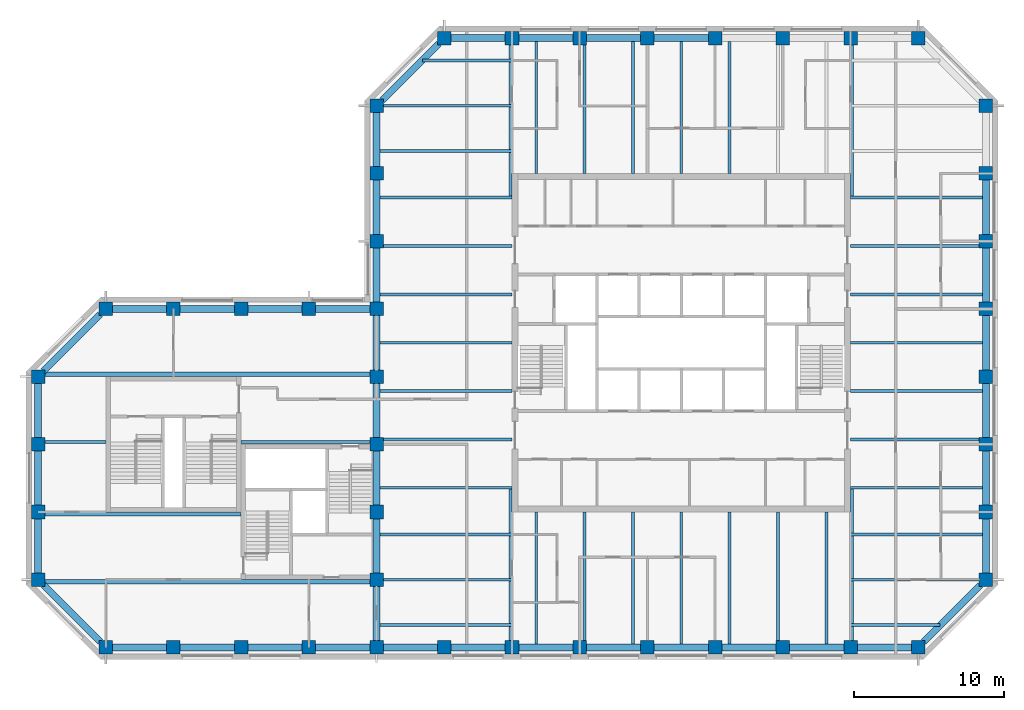
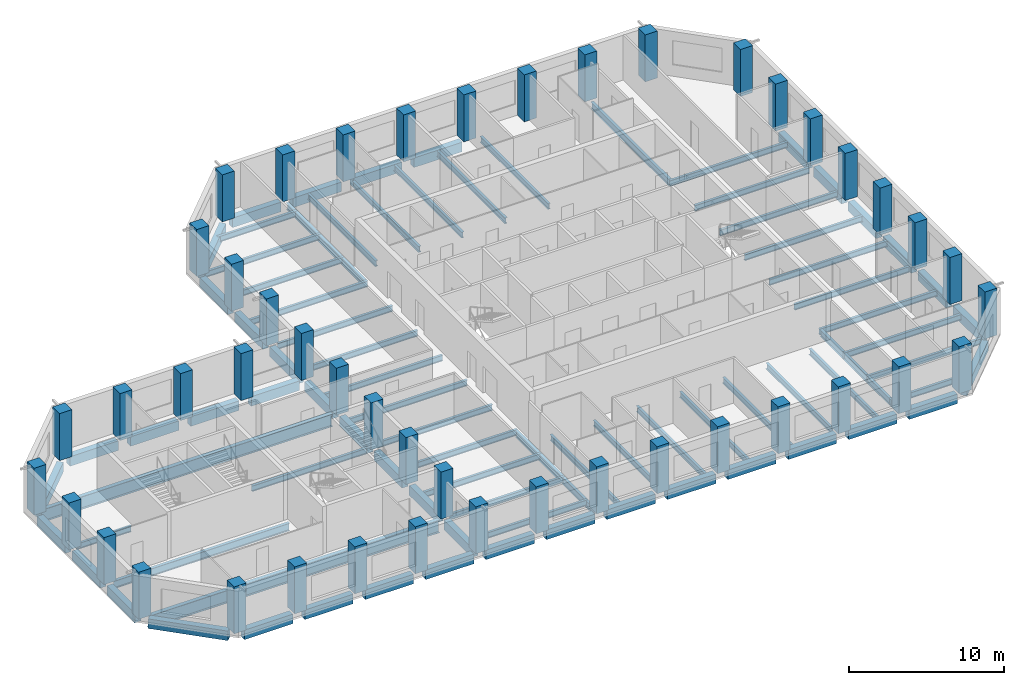
# One storey, part 1 of 9: 85 beams, 45 columns.
"""IFC4 building model written with IfcOpenShell, lengths in metres."""

from ifc_helpers import new_model, si_unit, direction, frame, origin, origin_2d, place, context, subcontext, project, spatial, rectangle, i_section, extrude, material, material_profile, profile_set, type_object, element, save


model = new_model("IFC4")

# Units and contexts
model_context = context("Model", 3, precision=1e-05, world=origin(), true_north=direction((0.0, 1.0)))
body_context = subcontext(model_context, "Body", "Model", "MODEL_VIEW")
ifc_project = project(units=[si_unit("LENGTHUNIT", "METRE"), si_unit("AREAUNIT", "SQUARE_METRE"), si_unit("VOLUMEUNIT", "CUBIC_METRE"), si_unit("PLANEANGLEUNIT", "RADIAN"), si_unit("MASSUNIT", "GRAM", prefix="KILO")], contexts=[model_context])

# Site, building, storey
site_placement = place(None, origin())
site = spatial("IfcSite", under=ifc_project, at=site_placement, CompositionType="ELEMENT")
building_placement = place(site_placement, origin())
building = spatial("IfcBuilding", under=site, at=building_placement, Name="Quoin Convention Tower", CompositionType="ELEMENT")
storey_placement = place(building_placement, frame((0.0, 0.0, 245.199951171875)))
storey = spatial("IfcBuildingStorey", under=building, at=storey_placement, Name="L64", CompositionType="ELEMENT", Elevation=245.199951171875)

# Columns
ifc_material_1 = material(Name="Concrete C50", Category="concrete")
ifc_material_profile_1 = material_profile(ifc_material_1, rectangle(XDim=0.89990234375, YDim=0.89990234375, at=origin_2d()), Name="RC 900x900")
ifc_profile_set_1 = profile_set([ifc_material_profile_1], Name="Concrete C50")
column_type = type_object("IfcColumnType", Name="RC 900x900 C50", PredefinedType="COLUMN", material=ifc_profile_set_1)
for number, where, z_axis, x_axis, name in (
    (1, (18.0, 40.5, 0.0), (0.0, 0.0, 1.0), (1.0, 0.0, 0.0), "col-L64-18000_40500"),
    (2, (22.5, 40.5, 0.0), (0.0, 0.0, 1.0), (1.0, 0.0, 0.0), "col-L64-22500_40500"),
    (3, (27.0, 40.5, 0.0), (0.0, 0.0, 1.0), (1.0, 0.0, 0.0), "col-L64-27000_40500"),
    (4, (31.5, 40.5, 0.0), (0.0, 0.0, 1.0), (1.0, 0.0, 0.0), "col-L64-31500_40500"),
    (5, (36.0, 40.5, 0.0), (0.0, 0.0, 1.0), (1.0, 0.0, 0.0), "col-L64-36000_40500"),
    (6, (40.5, 40.5, 0.0), (0.0, 0.0, 1.0), (1.0, 0.0, 0.0), "col-L64-40500_40500"),
    (7, (45.0, 40.5, 0.0), (0.0, 0.0, 1.0), (1.0, 0.0, 0.0), "col-L64-45000_40500"),
    (8, (49.5, 40.5, 0.0), (0.0, 0.0, 1.0), (1.0, 0.0, 0.0), "col-L64-49500_40500"),
    (9, (54.0, 40.5, 0.0), (0.0, 0.0, 1.0), (1.0, 0.0, 0.0), "col-L64-54000_40500"),
    (10, (58.5, 40.5, 0.0), (0.0, 0.0, 1.0), (1.0, 0.0, 0.0), "col-L64-58500_40500"),
    (11, (63.0, 40.5, 0.0), (0.0, 0.0, 1.0), (1.0, 0.0, 0.0), "col-L64-63000_40500"),
    (12, (67.5, 40.5, 0.0), (0.0, 0.0, 1.0), (1.0, 0.0, 0.0), "col-L64-67500_40500"),
    (13, (72.0, 40.5, 0.0), (0.0, 0.0, 1.0), (1.0, 0.0, 0.0), "col-L64-72000_40500"),
    (14, (13.5, 45.0, 0.0), (0.0, 0.0, 1.0), (1.0, 0.0, 0.0), "col-L64-13500_45000"),
    (15, (36.0, 45.0, 0.0), (0.0, 0.0, 1.0), (1.0, 0.0, 0.0), "web-L64-36000_45000"),
    (16, (76.5, 45.0, 0.0), (0.0, 0.0, 1.0), (1.0, 0.0, 0.0), "col-L64-76500_45000"),
    (17, (13.5, 49.5, 0.0), (0.0, 0.0, 1.0), (1.0, 0.0, 0.0), "col-L64-13500_49500"),
    (18, (36.0, 49.5, 0.0), (0.0, 0.0, 1.0), (1.0, 0.0, 0.0), "web-L64-36000_49500"),
    (19, (76.5, 49.5, 0.0), (0.0, 0.0, 1.0), (1.0, 0.0, 0.0), "col-L64-76500_49500"),
    (20, (13.5, 54.0, 0.0), (0.0, 0.0, 1.0), (1.0, 0.0, 0.0), "col-L64-13500_54000"),
    (21, (36.0, 54.0, 0.0), (0.0, 0.0, 1.0), (1.0, 0.0, 0.0), "web-L64-36000_54000"),
    (22, (76.5, 54.0, 0.0), (0.0, 0.0, 1.0), (1.0, 0.0, 0.0), "col-L64-76500_54000"),
    (23, (13.5, 58.5, 0.0), (0.0, 0.0, 1.0), (1.0, 0.0, 0.0), "col-L64-13500_58500"),
    (24, (36.0, 58.5, 0.0), (0.0, 0.0, 1.0), (1.0, 0.0, 0.0), "web-L64-36000_58500"),
    (25, (76.5, 58.5, 0.0), (0.0, 0.0, 1.0), (1.0, 0.0, 0.0), "col-L64-76500_58500"),
    (26, (18.0, 63.0, 0.0), (0.0, 0.0, 1.0), (1.0, 0.0, 0.0), "col-L64-18000_63000"),
    (27, (22.5, 63.0, 0.0), (0.0, 0.0, 1.0), (1.0, 0.0, 0.0), "col-L64-22500_63000"),
    (28, (27.0, 63.0, 0.0), (0.0, 0.0, 1.0), (1.0, 0.0, 0.0), "col-L64-27000_63000"),
    (29, (31.5, 63.0, 0.0), (0.0, 0.0, 1.0), (1.0, 0.0, 0.0), "col-L64-31500_63000"),
    (30, (36.0, 63.0, 0.0), (0.0, 0.0, 1.0), (1.0, 0.0, 0.0), "col-L64-36000_63000"),
    (31, (76.5, 63.0, 0.0), (0.0, 0.0, 1.0), (1.0, 0.0, 0.0), "col-L64-76500_63000"),
    (32, (36.0, 67.5, 0.0), (0.0, 0.0, 1.0), (1.0, 0.0, 0.0), "col-L64-36000_67500"),
    (33, (76.5, 67.5, 0.0), (0.0, 0.0, 1.0), (1.0, 0.0, 0.0), "col-L64-76500_67500"),
    (34, (36.0, 72.0, 0.0), (0.0, 0.0, 1.0), (1.0, 0.0, 0.0), "col-L64-36000_72000"),
    (35, (76.5, 72.0, 0.0), (0.0, 0.0, 1.0), (1.0, 0.0, 0.0), "col-L64-76500_72000"),
    (36, (36.0, 76.5, 0.0), (0.0, 0.0, 1.0), (1.0, 0.0, 0.0), "col-L64-36000_76500"),
    (37, (76.5, 76.5, 0.0), (0.0, 0.0, 1.0), (1.0, 0.0, 0.0), "col-L64-76500_76500"),
    (38, (40.5, 81.0, 0.0), (0.0, 0.0, 1.0), (1.0, 0.0, 0.0), "col-L64-40500_81000"),
    (39, (45.0, 81.0, 0.0), (0.0, 0.0, 1.0), (1.0, 0.0, 0.0), "col-L64-45000_81000"),
    (40, (49.5, 81.0, 0.0), (0.0, 0.0, 1.0), (1.0, 0.0, 0.0), "col-L64-49500_81000"),
    (41, (54.0, 81.0, 0.0), (0.0, 0.0, 1.0), (1.0, 0.0, 0.0), "col-L64-54000_81000"),
    (42, (58.5, 81.0, 0.0), (0.0, 0.0, 1.0), (1.0, 0.0, 0.0), "col-L64-58500_81000"),
    (43, (63.0, 81.0, 0.0), (0.0, 0.0, 1.0), (1.0, 0.0, 0.0), "col-L64-63000_81000"),
    (44, (67.5, 81.0, 0.0), (0.0, 0.0, 1.0), (1.0, 0.0, 0.0), "col-L64-67500_81000"),
    (45, (72.0, 81.0, 0.0), (0.0, 0.0, 1.0), (1.0, 0.0, 0.0), "col-L64-72000_81000"),
):
    element("IfcColumn", number, at=place(storey_placement, frame(where, z_axis=z_axis, x_axis=x_axis)), inside=storey, type_object=column_type, Name=name, PredefinedType="COLUMN", context=body_context, shape_type="SweptSolid", body=[
        extrude(rectangle(XDim=0.89990234375, YDim=0.89990234375, at=origin_2d()), origin(), (0.0, 0.0, 1.0), 3.699951171875),
    ])

# Beams
ifc_material_2 = material(Name="Steel Grade 300", Category="steel")
ifc_material_profile_2 = material_profile(ifc_material_2, i_section(OverallWidth=0.300048828125, OverallDepth=1.0, WebThickness=0.01611328125, FlangeThickness=0.02001953125, at=origin_2d()), Name="1000WB215")
ifc_profile_set_2 = profile_set([ifc_material_profile_2], Name="Steel Grade 300")
beam_type_1 = type_object("IfcBeamType", Name="1000WB215", PredefinedType="BEAM", material=ifc_profile_set_2)
for number, where, z_axis, x_axis, name in (
    (46, (13.949951171875, 44.85009765625, -0.64990234375), (1.0, 0.0, 0.0), (0.0, 1.0, 0.0), "gir-L64-ST2-1-0"),
    (47, (13.949951171875, 58.64990234375, -0.64990234375), (1.0, 0.0, 0.0), (0.0, 1.0, 0.0), "gir-L64-ST2-4-0"),
):
    element("IfcBeam", number, at=place(storey_placement, frame(where, z_axis=z_axis, x_axis=x_axis)), inside=storey, type_object=beam_type_1, Name=name, PredefinedType="BEAM", context=body_context, shape_type="SweptSolid", body=[
        extrude(i_section(OverallWidth=0.300048828125, OverallDepth=1.0, WebThickness=0.01611328125, FlangeThickness=0.02001953125, at=origin_2d()), origin(), (0.0, 0.0, 1.0), 21.60009765625),
    ])
ifc_material_profile_3 = material_profile(ifc_material_2, i_section(OverallWidth=0.18994140625, OverallDepth=0.4541015625, WebThickness=0.008544921875, FlangeThickness=0.0126953125, FilletRadius=0.011474609375, at=origin_2d()), Name="460UB67.1")
ifc_profile_set_3 = profile_set([ifc_material_profile_3], Name="Steel Grade 300")
beam_type_2 = type_object("IfcBeamType", Name="460UB67.1", PredefinedType="BEAM", material=ifc_profile_set_3)
beam_1_placement = place(storey_placement, frame((36.22509765625, 51.107177734375, -0.376953125), z_axis=(1.0, 0.0, 0.0), x_axis=(0.0, 1.0, 0.0)))
element("IfcBeam", 48, at=beam_1_placement, inside=storey, type_object=beam_type_2, Name="bm-L64-T1W0", PredefinedType="BEAM", context=body_context, shape_type="SweptSolid", body=[
    extrude(i_section(OverallWidth=0.18994140625, OverallDepth=0.4541015625, WebThickness=0.008544921875, FlangeThickness=0.0126953125, FilletRadius=0.011474609375, at=origin_2d()), origin(), (0.0, 0.0, 1.0), 8.77490234375),
])
beam_2_placement = place(storey_placement, frame((36.449951171875, 54.3212890625, -0.376953125), z_axis=(1.0, 0.0, 0.0), x_axis=(0.0, 1.0, 0.0)))
element("IfcBeam", 49, at=beam_2_placement, inside=storey, type_object=beam_type_2, Name="bm-L64-T1W1", PredefinedType="BEAM", context=body_context, shape_type="SweptSolid", body=[
    extrude(i_section(OverallWidth=0.18994140625, OverallDepth=0.4541015625, WebThickness=0.008544921875, FlangeThickness=0.0126953125, FilletRadius=0.011474609375, at=origin_2d()), origin(), (0.0, 0.0, 1.0), 8.550048828125),
])
for number, where, z_axis, x_axis, name in (
    (50, (36.22509765625, 57.53564453125, -0.376953125), (1.0, 0.0, 0.0), (0.0, 1.0, 0.0), "bm-L64-T1W2"),
    (51, (36.22509765625, 60.75, -0.376953125), (1.0, 0.0, 0.0), (0.0, 1.0, 0.0), "bm-L64-T1W3"),
    (52, (36.22509765625, 63.96435546875, -0.376953125), (1.0, 0.0, 0.0), (0.0, 1.0, 0.0), "bm-L64-T1W4"),
):
    element("IfcBeam", number, at=place(storey_placement, frame(where, z_axis=z_axis, x_axis=x_axis)), inside=storey, type_object=beam_type_2, Name=name, PredefinedType="BEAM", context=body_context, shape_type="SweptSolid", body=[
        extrude(i_section(OverallWidth=0.18994140625, OverallDepth=0.4541015625, WebThickness=0.008544921875, FlangeThickness=0.0126953125, FilletRadius=0.011474609375, at=origin_2d()), origin(), (0.0, 0.0, 1.0), 8.77490234375),
    ])
beam_3_placement = place(storey_placement, frame((36.449951171875, 67.1787109375, -0.376953125), z_axis=(1.0, 0.0, 0.0), x_axis=(0.0, 1.0, 0.0)))
element("IfcBeam", 53, at=beam_3_placement, inside=storey, type_object=beam_type_2, Name="bm-L64-T1W5", PredefinedType="BEAM", context=body_context, shape_type="SweptSolid", body=[
    extrude(i_section(OverallWidth=0.18994140625, OverallDepth=0.4541015625, WebThickness=0.008544921875, FlangeThickness=0.0126953125, FilletRadius=0.011474609375, at=origin_2d()), origin(), (0.0, 0.0, 1.0), 8.550048828125),
])
for number, where, z_axis, x_axis, name in (
    (54, (36.22509765625, 70.392822265625, -0.376953125), (1.0, 0.0, 0.0), (0.0, 1.0, 0.0), "bm-L64-T1W6"),
    (55, (67.5, 51.107177734375, -0.376953125), (1.0, 0.0, 0.0), (0.0, 1.0, 0.0), "bm-L64-T1E0"),
):
    element("IfcBeam", number, at=place(storey_placement, frame(where, z_axis=z_axis, x_axis=x_axis)), inside=storey, type_object=beam_type_2, Name=name, PredefinedType="BEAM", context=body_context, shape_type="SweptSolid", body=[
        extrude(i_section(OverallWidth=0.18994140625, OverallDepth=0.4541015625, WebThickness=0.008544921875, FlangeThickness=0.0126953125, FilletRadius=0.011474609375, at=origin_2d()), origin(), (0.0, 0.0, 1.0), 8.77490234375),
    ])
beam_4_placement = place(storey_placement, frame((67.5, 54.3212890625, -0.376953125), z_axis=(1.0, 0.0, 0.0), x_axis=(0.0, 1.0, 0.0)))
element("IfcBeam", 56, at=beam_4_placement, inside=storey, type_object=beam_type_2, Name="bm-L64-T1E1", PredefinedType="BEAM", context=body_context, shape_type="SweptSolid", body=[
    extrude(i_section(OverallWidth=0.18994140625, OverallDepth=0.4541015625, WebThickness=0.008544921875, FlangeThickness=0.0126953125, FilletRadius=0.011474609375, at=origin_2d()), origin(), (0.0, 0.0, 1.0), 8.550048828125),
])
for number, where, z_axis, x_axis, name in (
    (57, (67.5, 57.53564453125, -0.376953125), (1.0, 0.0, 0.0), (0.0, 1.0, 0.0), "bm-L64-T1E2"),
    (58, (67.5, 60.75, -0.376953125), (1.0, 0.0, 0.0), (0.0, 1.0, 0.0), "bm-L64-T1E3"),
    (59, (67.5, 63.96435546875, -0.376953125), (1.0, 0.0, 0.0), (0.0, 1.0, 0.0), "bm-L64-T1E4"),
):
    element("IfcBeam", number, at=place(storey_placement, frame(where, z_axis=z_axis, x_axis=x_axis)), inside=storey, type_object=beam_type_2, Name=name, PredefinedType="BEAM", context=body_context, shape_type="SweptSolid", body=[
        extrude(i_section(OverallWidth=0.18994140625, OverallDepth=0.4541015625, WebThickness=0.008544921875, FlangeThickness=0.0126953125, FilletRadius=0.011474609375, at=origin_2d()), origin(), (0.0, 0.0, 1.0), 8.77490234375),
    ])
beam_5_placement = place(storey_placement, frame((67.5, 67.1787109375, -0.376953125), z_axis=(1.0, 0.0, 0.0), x_axis=(0.0, 1.0, 0.0)))
element("IfcBeam", 60, at=beam_5_placement, inside=storey, type_object=beam_type_2, Name="bm-L64-T1E5", PredefinedType="BEAM", context=body_context, shape_type="SweptSolid", body=[
    extrude(i_section(OverallWidth=0.18994140625, OverallDepth=0.4541015625, WebThickness=0.008544921875, FlangeThickness=0.0126953125, FilletRadius=0.011474609375, at=origin_2d()), origin(), (0.0, 0.0, 1.0), 8.550048828125),
])
for number, where, z_axis, x_axis, name in (
    (61, (67.5, 70.392822265625, -0.376953125), (1.0, 0.0, 0.0), (0.0, 1.0, 0.0), "bm-L64-T1E6"),
    (62, (46.607177734375, 40.72509765625, -0.376953125), (0.0, 1.0, 0.0), (-1.0, 0.0, 0.0), "bm-L64-T1S0"),
):
    element("IfcBeam", number, at=place(storey_placement, frame(where, z_axis=z_axis, x_axis=x_axis)), inside=storey, type_object=beam_type_2, Name=name, PredefinedType="BEAM", context=body_context, shape_type="SweptSolid", body=[
        extrude(i_section(OverallWidth=0.18994140625, OverallDepth=0.4541015625, WebThickness=0.008544921875, FlangeThickness=0.0126953125, FilletRadius=0.011474609375, at=origin_2d()), origin(), (0.0, 0.0, 1.0), 8.77490234375),
    ])
beam_6_placement = place(storey_placement, frame((49.8212890625, 40.949951171875, -0.376953125), z_axis=(0.0, 1.0, 0.0), x_axis=(-1.0, 0.0, 0.0)))
element("IfcBeam", 63, at=beam_6_placement, inside=storey, type_object=beam_type_2, Name="bm-L64-T1S1", PredefinedType="BEAM", context=body_context, shape_type="SweptSolid", body=[
    extrude(i_section(OverallWidth=0.18994140625, OverallDepth=0.4541015625, WebThickness=0.008544921875, FlangeThickness=0.0126953125, FilletRadius=0.011474609375, at=origin_2d()), origin(), (0.0, 0.0, 1.0), 8.550048828125),
])
for number, where, z_axis, x_axis, name in (
    (64, (53.03564453125, 40.72509765625, -0.376953125), (0.0, 1.0, 0.0), (-1.0, 0.0, 0.0), "bm-L64-T1S2"),
    (65, (56.25, 40.72509765625, -0.376953125), (0.0, 1.0, 0.0), (-1.0, 0.0, 0.0), "bm-L64-T1S3"),
    (66, (59.46435546875, 40.72509765625, -0.376953125), (0.0, 1.0, 0.0), (-1.0, 0.0, 0.0), "bm-L64-T1S4"),
):
    element("IfcBeam", number, at=place(storey_placement, frame(where, z_axis=z_axis, x_axis=x_axis)), inside=storey, type_object=beam_type_2, Name=name, PredefinedType="BEAM", context=body_context, shape_type="SweptSolid", body=[
        extrude(i_section(OverallWidth=0.18994140625, OverallDepth=0.4541015625, WebThickness=0.008544921875, FlangeThickness=0.0126953125, FilletRadius=0.011474609375, at=origin_2d()), origin(), (0.0, 0.0, 1.0), 8.77490234375),
    ])
beam_7_placement = place(storey_placement, frame((62.6787109375, 40.949951171875, -0.376953125), z_axis=(0.0, 1.0, 0.0), x_axis=(-1.0, 0.0, 0.0)))
element("IfcBeam", 67, at=beam_7_placement, inside=storey, type_object=beam_type_2, Name="bm-L64-T1S5", PredefinedType="BEAM", context=body_context, shape_type="SweptSolid", body=[
    extrude(i_section(OverallWidth=0.18994140625, OverallDepth=0.4541015625, WebThickness=0.008544921875, FlangeThickness=0.0126953125, FilletRadius=0.011474609375, at=origin_2d()), origin(), (0.0, 0.0, 1.0), 8.550048828125),
])
for number, where, z_axis, x_axis, name in (
    (68, (65.892822265625, 40.72509765625, -0.376953125), (0.0, 1.0, 0.0), (-1.0, 0.0, 0.0), "bm-L64-T1S6"),
    (69, (46.607177734375, 72.0, -0.376953125), (0.0, 1.0, 0.0), (-1.0, 0.0, 0.0), "bm-L64-T1N0"),
):
    element("IfcBeam", number, at=place(storey_placement, frame(where, z_axis=z_axis, x_axis=x_axis)), inside=storey, type_object=beam_type_2, Name=name, PredefinedType="BEAM", context=body_context, shape_type="SweptSolid", body=[
        extrude(i_section(OverallWidth=0.18994140625, OverallDepth=0.4541015625, WebThickness=0.008544921875, FlangeThickness=0.0126953125, FilletRadius=0.011474609375, at=origin_2d()), origin(), (0.0, 0.0, 1.0), 8.77490234375),
    ])
beam_8_placement = place(storey_placement, frame((49.8212890625, 72.0, -0.376953125), z_axis=(0.0, 1.0, 0.0), x_axis=(-1.0, 0.0, 0.0)))
element("IfcBeam", 70, at=beam_8_placement, inside=storey, type_object=beam_type_2, Name="bm-L64-T1N1", PredefinedType="BEAM", context=body_context, shape_type="SweptSolid", body=[
    extrude(i_section(OverallWidth=0.18994140625, OverallDepth=0.4541015625, WebThickness=0.008544921875, FlangeThickness=0.0126953125, FilletRadius=0.011474609375, at=origin_2d()), origin(), (0.0, 0.0, 1.0), 8.550048828125),
])
for number, where, z_axis, x_axis, name in (
    (71, (53.03564453125, 72.0, -0.376953125), (0.0, 1.0, 0.0), (-1.0, 0.0, 0.0), "bm-L64-T1N2"),
    (72, (56.25, 72.0, -0.376953125), (0.0, 1.0, 0.0), (-1.0, 0.0, 0.0), "bm-L64-T1N3"),
    (73, (59.46435546875, 72.0, -0.376953125), (0.0, 1.0, 0.0), (-1.0, 0.0, 0.0), "bm-L64-T1N4"),
    (74, (36.22509765625, 42.0, -0.376953125), (1.0, 0.0, 0.0), (0.0, 1.0, 0.0), "bm-L64-T1SW0"),
):
    element("IfcBeam", number, at=place(storey_placement, frame(where, z_axis=z_axis, x_axis=x_axis)), inside=storey, type_object=beam_type_2, Name=name, PredefinedType="BEAM", context=body_context, shape_type="SweptSolid", body=[
        extrude(i_section(OverallWidth=0.18994140625, OverallDepth=0.4541015625, WebThickness=0.008544921875, FlangeThickness=0.0126953125, FilletRadius=0.011474609375, at=origin_2d()), origin(), (0.0, 0.0, 1.0), 8.77490234375),
    ])
beam_9_placement = place(storey_placement, frame((36.449951171875, 45.0, -0.376953125), z_axis=(1.0, 0.0, 0.0), x_axis=(0.0, 1.0, 0.0)))
element("IfcBeam", 75, at=beam_9_placement, inside=storey, type_object=beam_type_2, Name="bm-L64-T1SW1", PredefinedType="BEAM", context=body_context, shape_type="SweptSolid", body=[
    extrude(i_section(OverallWidth=0.18994140625, OverallDepth=0.4541015625, WebThickness=0.008544921875, FlangeThickness=0.0126953125, FilletRadius=0.011474609375, at=origin_2d()), origin(), (0.0, 0.0, 1.0), 8.550048828125),
])
beam_10_placement = place(storey_placement, frame((36.22509765625, 48.0, -0.376953125), z_axis=(1.0, 0.0, 0.0), x_axis=(0.0, 1.0, 0.0)))
element("IfcBeam", 76, at=beam_10_placement, inside=storey, type_object=beam_type_2, Name="bm-L64-T1SW2", PredefinedType="BEAM", context=body_context, shape_type="SweptSolid", body=[
    extrude(i_section(OverallWidth=0.18994140625, OverallDepth=0.4541015625, WebThickness=0.008544921875, FlangeThickness=0.0126953125, FilletRadius=0.011474609375, at=origin_2d()), origin(), (0.0, 0.0, 1.0), 8.77490234375),
])
beam_11_placement = place(storey_placement, frame((67.5, 42.0, -0.376953125), z_axis=(1.0, 0.0, 0.0), x_axis=(0.0, 1.0, 0.0)))
element("IfcBeam", 77, at=beam_11_placement, inside=storey, type_object=beam_type_2, Name="bm-L64-T1SE0", PredefinedType="BEAM", context=body_context, shape_type="SweptSolid", body=[
    extrude(i_section(OverallWidth=0.18994140625, OverallDepth=0.4541015625, WebThickness=0.008544921875, FlangeThickness=0.0126953125, FilletRadius=0.011474609375, at=origin_2d()), origin(), (0.0, 0.0, 1.0), 5.935791015625),
])
beam_12_placement = place(storey_placement, frame((67.5, 45.0, -0.376953125), z_axis=(1.0, 0.0, 0.0), x_axis=(0.0, 1.0, 0.0)))
element("IfcBeam", 78, at=beam_12_placement, inside=storey, type_object=beam_type_2, Name="bm-L64-T1SE1", PredefinedType="BEAM", context=body_context, shape_type="SweptSolid", body=[
    extrude(i_section(OverallWidth=0.18994140625, OverallDepth=0.4541015625, WebThickness=0.008544921875, FlangeThickness=0.0126953125, FilletRadius=0.011474609375, at=origin_2d()), origin(), (0.0, 0.0, 1.0), 8.550048828125),
])
beam_13_placement = place(storey_placement, frame((67.5, 48.0, -0.376953125), z_axis=(1.0, 0.0, 0.0), x_axis=(0.0, 1.0, 0.0)))
element("IfcBeam", 79, at=beam_13_placement, inside=storey, type_object=beam_type_2, Name="bm-L64-T1SE2", PredefinedType="BEAM", context=body_context, shape_type="SweptSolid", body=[
    extrude(i_section(OverallWidth=0.18994140625, OverallDepth=0.4541015625, WebThickness=0.008544921875, FlangeThickness=0.0126953125, FilletRadius=0.011474609375, at=origin_2d()), origin(), (0.0, 0.0, 1.0), 8.77490234375),
])
beam_14_placement = place(storey_placement, frame((39.064208984375, 79.5, -0.376953125), z_axis=(1.0, 0.0, 0.0), x_axis=(0.0, 1.0, 0.0)))
element("IfcBeam", 80, at=beam_14_placement, inside=storey, type_object=beam_type_2, Name="bm-L64-T1NW0", PredefinedType="BEAM", context=body_context, shape_type="SweptSolid", body=[
    extrude(i_section(OverallWidth=0.18994140625, OverallDepth=0.4541015625, WebThickness=0.008544921875, FlangeThickness=0.0126953125, FilletRadius=0.011474609375, at=origin_2d()), origin(), (0.0, 0.0, 1.0), 5.935791015625),
])
beam_15_placement = place(storey_placement, frame((36.449951171875, 76.5, -0.376953125), z_axis=(1.0, 0.0, 0.0), x_axis=(0.0, 1.0, 0.0)))
element("IfcBeam", 81, at=beam_15_placement, inside=storey, type_object=beam_type_2, Name="bm-L64-T1NW1", PredefinedType="BEAM", context=body_context, shape_type="SweptSolid", body=[
    extrude(i_section(OverallWidth=0.18994140625, OverallDepth=0.4541015625, WebThickness=0.008544921875, FlangeThickness=0.0126953125, FilletRadius=0.011474609375, at=origin_2d()), origin(), (0.0, 0.0, 1.0), 8.550048828125),
])
beam_16_placement = place(storey_placement, frame((36.22509765625, 73.5, -0.376953125), z_axis=(1.0, 0.0, 0.0), x_axis=(0.0, 1.0, 0.0)))
element("IfcBeam", 82, at=beam_16_placement, inside=storey, type_object=beam_type_2, Name="bm-L64-T1NW2", PredefinedType="BEAM", context=body_context, shape_type="SweptSolid", body=[
    extrude(i_section(OverallWidth=0.18994140625, OverallDepth=0.4541015625, WebThickness=0.008544921875, FlangeThickness=0.0126953125, FilletRadius=0.011474609375, at=origin_2d()), origin(), (0.0, 0.0, 1.0), 8.77490234375),
])
beam_17_placement = place(storey_placement, frame((13.949951171875, 54.14990234375, -0.376953125), z_axis=(1.0, 0.0, 0.0), x_axis=(0.0, 1.0, 0.0)))
element("IfcBeam", 83, at=beam_17_placement, inside=storey, type_object=beam_type_2, Name="gir-L64-ST2-3-0", PredefinedType="BEAM", context=body_context, shape_type="SweptSolid", body=[
    extrude(i_section(OverallWidth=0.18994140625, OverallDepth=0.4541015625, WebThickness=0.008544921875, FlangeThickness=0.0126953125, FilletRadius=0.011474609375, at=origin_2d()), origin(), (0.0, 0.0, 1.0), 4.050048828125),
])
beam_18_placement = place(storey_placement, frame((27.0, 54.14990234375, -0.376953125), z_axis=(1.0, 0.0, 0.0), x_axis=(0.0, 1.0, 0.0)))
element("IfcBeam", 84, at=beam_18_placement, inside=storey, type_object=beam_type_2, Name="gir-L64-ST2-3-1", PredefinedType="BEAM", context=body_context, shape_type="SweptSolid", body=[
    extrude(i_section(OverallWidth=0.18994140625, OverallDepth=0.4541015625, WebThickness=0.008544921875, FlangeThickness=0.0126953125, FilletRadius=0.011474609375, at=origin_2d()), origin(), (0.0, 0.0, 1.0), 8.550048828125),
])
ifc_material_profile_4 = material_profile(ifc_material_2, i_section(OverallWidth=0.208984375, OverallDepth=0.528076171875, WebThickness=0.009521484375, FlangeThickness=0.01318359375, FilletRadius=0.013916015625, at=origin_2d()), Name="530UB82.0")
ifc_profile_set_4 = profile_set([ifc_material_profile_4], Name="Steel Grade 300")
beam_type_3 = type_object("IfcBeamType", Name="530UB82.0", PredefinedType="BEAM", material=ifc_profile_set_4)
for number, where, z_axis, x_axis, name in (
    (85, (44.904541015625, 40.949951171875, -0.4140625), (0.0, 1.0, 0.0), (-1.0, 0.0, 0.0), "gir-L64-T1SW"),
    (86, (67.595458984375, 40.949951171875, -0.4140625), (0.0, 1.0, 0.0), (-1.0, 0.0, 0.0), "gir-L64-T1SE"),
    (87, (44.904541015625, 80.550048828125, -0.4140625), (0.0, -1.0, 0.0), (1.0, 0.0, 0.0), "gir-L64-T1NW"),
    (88, (67.595458984375, 80.550048828125, -0.4140625), (0.0, -1.0, 0.0), (1.0, 0.0, 0.0), "gir-L64-T1NE"),
):
    element("IfcBeam", number, at=place(storey_placement, frame(where, z_axis=z_axis, x_axis=x_axis)), inside=storey, type_object=beam_type_3, Name=name, PredefinedType="BEAM", context=body_context, shape_type="SweptSolid", body=[
        extrude(i_section(OverallWidth=0.208984375, OverallDepth=0.528076171875, WebThickness=0.009521484375, FlangeThickness=0.01318359375, FilletRadius=0.013916015625, at=origin_2d()), origin(), (0.0, 0.0, 1.0), 10.062255859375),
    ])
ifc_material_profile_5 = material_profile(ifc_material_2, i_section(OverallWidth=0.22802734375, OverallDepth=0.60205078125, WebThickness=0.010498046875, FlangeThickness=0.014892578125, FilletRadius=0.013916015625, at=origin_2d()), Name="610UB101")
ifc_profile_set_5 = profile_set([ifc_material_profile_5], Name="Steel Grade 300")
beam_type_4 = type_object("IfcBeamType", Name="610UB101", PredefinedType="BEAM", material=ifc_profile_set_5)
beam_19_placement = place(storey_placement, frame((13.949951171875, 49.35009765625, -0.450927734375), z_axis=(1.0, 0.0, 0.0), x_axis=(0.0, 1.0, 0.0)))
element("IfcBeam", 89, at=beam_19_placement, inside=storey, type_object=beam_type_4, Name="gir-L64-ST2-2-0", PredefinedType="BEAM", context=body_context, shape_type="SweptSolid", body=[
    extrude(i_section(OverallWidth=0.22802734375, OverallDepth=0.60205078125, WebThickness=0.010498046875, FlangeThickness=0.014892578125, FilletRadius=0.013916015625, at=origin_2d()), origin(), (0.0, 0.0, 1.0), 13.050048828125),
])
ifc_material_profile_6 = material_profile(ifc_material_1, rectangle(XDim=0.449951171875, YDim=0.75, at=origin_2d()), Name="RC 450x750")
ifc_profile_set_6 = profile_set([ifc_material_profile_6], Name="Concrete C50")
beam_type_5 = type_object("IfcBeamType", Name="RC 450x750 C50", PredefinedType="SPANDREL", material=ifc_profile_set_6)
for number, where, z_axis, x_axis, name in (
    (90, (36.449951171875, 40.5, -0.52490234375), (1.0, 0.0, 0.0), (0.0, 1.0, 0.0), "spd-L64-36000_40500-40500_40500"),
    (91, (40.949951171875, 40.5, -0.52490234375), (1.0, 0.0, 0.0), (0.0, 1.0, 0.0), "spd-L64-40500_40500-45000_40500"),
    (92, (45.449951171875, 40.5, -0.52490234375), (1.0, 0.0, 0.0), (0.0, 1.0, 0.0), "spd-L64-45000_40500-49500_40500"),
    (93, (49.949951171875, 40.5, -0.52490234375), (1.0, 0.0, 0.0), (0.0, 1.0, 0.0), "spd-L64-49500_40500-54000_40500"),
    (94, (54.449951171875, 40.5, -0.52490234375), (1.0, 0.0, 0.0), (0.0, 1.0, 0.0), "spd-L64-54000_40500-58500_40500"),
    (95, (58.949951171875, 40.5, -0.52490234375), (1.0, 0.0, 0.0), (0.0, 1.0, 0.0), "spd-L64-58500_40500-63000_40500"),
    (96, (63.449951171875, 40.5, -0.52490234375), (1.0, 0.0, 0.0), (0.0, 1.0, 0.0), "spd-L64-63000_40500-67500_40500"),
    (97, (67.949951171875, 40.5, -0.52490234375), (1.0, 0.0, 0.0), (0.0, 1.0, 0.0), "spd-L64-67500_40500-72000_40500"),
):
    element("IfcBeam", number, at=place(storey_placement, frame(where, z_axis=z_axis, x_axis=x_axis)), inside=storey, type_object=beam_type_5, Name=name, PredefinedType="SPANDREL", context=body_context, shape_type="SweptSolid", body=[
        extrude(rectangle(XDim=0.449951171875, YDim=0.75, at=origin_2d()), origin(), (0.0, 0.0, 1.0), 3.60009765625),
    ])
beam_20_placement = place(storey_placement, frame((72.364990234375, 40.864990234375, -0.52490234375), z_axis=(0.707106781187, 0.707106781187, 0.0), x_axis=(-0.707106781187, 0.707106781187, 0.0)))
element("IfcBeam", 98, at=beam_20_placement, inside=storey, type_object=beam_type_5, Name="spd-L64-72000_40500-76500_45000", PredefinedType="SPANDREL", context=body_context, shape_type="SweptSolid", body=[
    extrude(rectangle(XDim=0.449951171875, YDim=0.75, at=origin_2d()), origin(), (0.0, 0.0, 1.0), 5.33154296875),
])
for number, where, z_axis, x_axis, name in (
    (99, (76.5, 45.449951171875, -0.52490234375), (0.0, 1.0, 0.0), (-1.0, 0.0, 0.0), "spd-L64-76500_45000-76500_49500"),
    (100, (76.5, 49.949951171875, -0.52490234375), (0.0, 1.0, 0.0), (-1.0, 0.0, 0.0), "spd-L64-76500_49500-76500_54000"),
    (101, (76.5, 54.449951171875, -0.52490234375), (0.0, 1.0, 0.0), (-1.0, 0.0, 0.0), "spd-L64-76500_54000-76500_58500"),
    (102, (76.5, 58.949951171875, -0.52490234375), (0.0, 1.0, 0.0), (-1.0, 0.0, 0.0), "spd-L64-76500_58500-76500_63000"),
    (103, (76.5, 63.449951171875, -0.52490234375), (0.0, 1.0, 0.0), (-1.0, 0.0, 0.0), "spd-L64-76500_63000-76500_67500"),
    (104, (76.5, 67.949951171875, -0.52490234375), (0.0, 1.0, 0.0), (-1.0, 0.0, 0.0), "spd-L64-76500_67500-76500_72000"),
    (105, (58.050048828125, 81.0, -0.52490234375), (-1.0, 0.0, 0.0), (0.0, -1.0, 0.0), "spd-L64-58500_81000-54000_81000"),
    (106, (53.550048828125, 81.0, -0.52490234375), (-1.0, 0.0, 0.0), (0.0, -1.0, 0.0), "spd-L64-54000_81000-49500_81000"),
    (107, (49.050048828125, 81.0, -0.52490234375), (-1.0, 0.0, 0.0), (0.0, -1.0, 0.0), "spd-L64-49500_81000-45000_81000"),
    (108, (44.550048828125, 81.0, -0.52490234375), (-1.0, 0.0, 0.0), (0.0, -1.0, 0.0), "spd-L64-45000_81000-40500_81000"),
):
    element("IfcBeam", number, at=place(storey_placement, frame(where, z_axis=z_axis, x_axis=x_axis)), inside=storey, type_object=beam_type_5, Name=name, PredefinedType="SPANDREL", context=body_context, shape_type="SweptSolid", body=[
        extrude(rectangle(XDim=0.449951171875, YDim=0.75, at=origin_2d()), origin(), (0.0, 0.0, 1.0), 3.60009765625),
    ])
beam_21_placement = place(storey_placement, frame((40.135009765625, 80.635009765625, -0.52490234375), z_axis=(-0.707106781187, -0.707106781187, 0.0), x_axis=(0.707106781187, -0.707106781187, 0.0)))
element("IfcBeam", 109, at=beam_21_placement, inside=storey, type_object=beam_type_5, Name="spd-L64-40500_81000-36000_76500", PredefinedType="SPANDREL", context=body_context, shape_type="SweptSolid", body=[
    extrude(rectangle(XDim=0.449951171875, YDim=0.75, at=origin_2d()), origin(), (0.0, 0.0, 1.0), 5.33154296875),
])
for number, where, z_axis, x_axis, name in (
    (110, (36.0, 76.050048828125, -0.52490234375), (0.0, -1.0, 0.0), (1.0, 0.0, 0.0), "spd-L64-36000_76500-36000_72000"),
    (111, (36.0, 71.550048828125, -0.52490234375), (0.0, -1.0, 0.0), (1.0, 0.0, 0.0), "spd-L64-36000_72000-36000_67500"),
    (112, (36.0, 67.050048828125, -0.52490234375), (0.0, -1.0, 0.0), (1.0, 0.0, 0.0), "spd-L64-36000_67500-36000_63000"),
    (113, (35.550048828125, 63.0, -0.52490234375), (-1.0, 0.0, 0.0), (0.0, -1.0, 0.0), "spd-L64-36000_63000-31500_63000"),
    (114, (31.050048828125, 63.0, -0.52490234375), (-1.0, 0.0, 0.0), (0.0, -1.0, 0.0), "spd-L64-31500_63000-27000_63000"),
    (115, (26.550048828125, 63.0, -0.52490234375), (-1.0, 0.0, 0.0), (0.0, -1.0, 0.0), "spd-L64-27000_63000-22500_63000"),
    (116, (22.050048828125, 63.0, -0.52490234375), (-1.0, 0.0, 0.0), (0.0, -1.0, 0.0), "spd-L64-22500_63000-18000_63000"),
):
    element("IfcBeam", number, at=place(storey_placement, frame(where, z_axis=z_axis, x_axis=x_axis)), inside=storey, type_object=beam_type_5, Name=name, PredefinedType="SPANDREL", context=body_context, shape_type="SweptSolid", body=[
        extrude(rectangle(XDim=0.449951171875, YDim=0.75, at=origin_2d()), origin(), (0.0, 0.0, 1.0), 3.60009765625),
    ])
beam_22_placement = place(storey_placement, frame((17.635009765625, 62.635009765625, -0.52490234375), z_axis=(-0.707106781187, -0.707106781187, 0.0), x_axis=(0.707106781187, -0.707106781187, 0.0)))
element("IfcBeam", 117, at=beam_22_placement, inside=storey, type_object=beam_type_5, Name="spd-L64-18000_63000-13500_58500", PredefinedType="SPANDREL", context=body_context, shape_type="SweptSolid", body=[
    extrude(rectangle(XDim=0.449951171875, YDim=0.75, at=origin_2d()), origin(), (0.0, 0.0, 1.0), 5.33154296875),
])
for number, where, z_axis, x_axis, name in (
    (118, (13.5, 58.050048828125, -0.52490234375), (0.0, -1.0, 0.0), (1.0, 0.0, 0.0), "spd-L64-13500_58500-13500_54000"),
    (119, (13.5, 53.550048828125, -0.52490234375), (0.0, -1.0, 0.0), (1.0, 0.0, 0.0), "spd-L64-13500_54000-13500_49500"),
    (120, (13.5, 49.050048828125, -0.52490234375), (0.0, -1.0, 0.0), (1.0, 0.0, 0.0), "spd-L64-13500_49500-13500_45000"),
):
    element("IfcBeam", number, at=place(storey_placement, frame(where, z_axis=z_axis, x_axis=x_axis)), inside=storey, type_object=beam_type_5, Name=name, PredefinedType="SPANDREL", context=body_context, shape_type="SweptSolid", body=[
        extrude(rectangle(XDim=0.449951171875, YDim=0.75, at=origin_2d()), origin(), (0.0, 0.0, 1.0), 3.60009765625),
    ])
beam_23_placement = place(storey_placement, frame((13.864990234375, 44.635009765625, -0.52490234375), z_axis=(0.707106781187, -0.707106781187, 0.0), x_axis=(0.707106781187, 0.707106781187, 0.0)))
element("IfcBeam", 121, at=beam_23_placement, inside=storey, type_object=beam_type_5, Name="spd-L64-13500_45000-18000_40500", PredefinedType="SPANDREL", context=body_context, shape_type="SweptSolid", body=[
    extrude(rectangle(XDim=0.449951171875, YDim=0.75, at=origin_2d()), origin(), (0.0, 0.0, 1.0), 5.33154296875),
])
for number, where, z_axis, x_axis, name in (
    (122, (18.449951171875, 40.5, -0.52490234375), (1.0, 0.0, 0.0), (0.0, 1.0, 0.0), "spd-L64-18000_40500-22500_40500"),
    (123, (22.949951171875, 40.5, -0.52490234375), (1.0, 0.0, 0.0), (0.0, 1.0, 0.0), "spd-L64-22500_40500-27000_40500"),
    (124, (27.449951171875, 40.5, -0.52490234375), (1.0, 0.0, 0.0), (0.0, 1.0, 0.0), "spd-L64-27000_40500-31500_40500"),
    (125, (31.949951171875, 40.5, -0.52490234375), (1.0, 0.0, 0.0), (0.0, 1.0, 0.0), "spd-L64-31500_40500-36000_40500"),
    (126, (36.0, 40.949951171875, -0.52490234375), (0.0, 1.0, 0.0), (-1.0, 0.0, 0.0), "spd-L64-36000_40500-36000_45000"),
    (127, (36.0, 45.449951171875, -0.52490234375), (0.0, 1.0, 0.0), (-1.0, 0.0, 0.0), "spd-L64-36000_45000-36000_49500"),
    (128, (36.0, 49.949951171875, -0.52490234375), (0.0, 1.0, 0.0), (-1.0, 0.0, 0.0), "spd-L64-36000_49500-36000_54000"),
    (129, (36.0, 54.449951171875, -0.52490234375), (0.0, 1.0, 0.0), (-1.0, 0.0, 0.0), "spd-L64-36000_54000-36000_58500"),
    (130, (36.0, 58.949951171875, -0.52490234375), (0.0, 1.0, 0.0), (-1.0, 0.0, 0.0), "spd-L64-36000_58500-36000_63000"),
):
    element("IfcBeam", number, at=place(storey_placement, frame(where, z_axis=z_axis, x_axis=x_axis)), inside=storey, type_object=beam_type_5, Name=name, PredefinedType="SPANDREL", context=body_context, shape_type="SweptSolid", body=[
        extrude(rectangle(XDim=0.449951171875, YDim=0.75, at=origin_2d()), origin(), (0.0, 0.0, 1.0), 3.60009765625),
    ])

save(model, "model.ifc")
